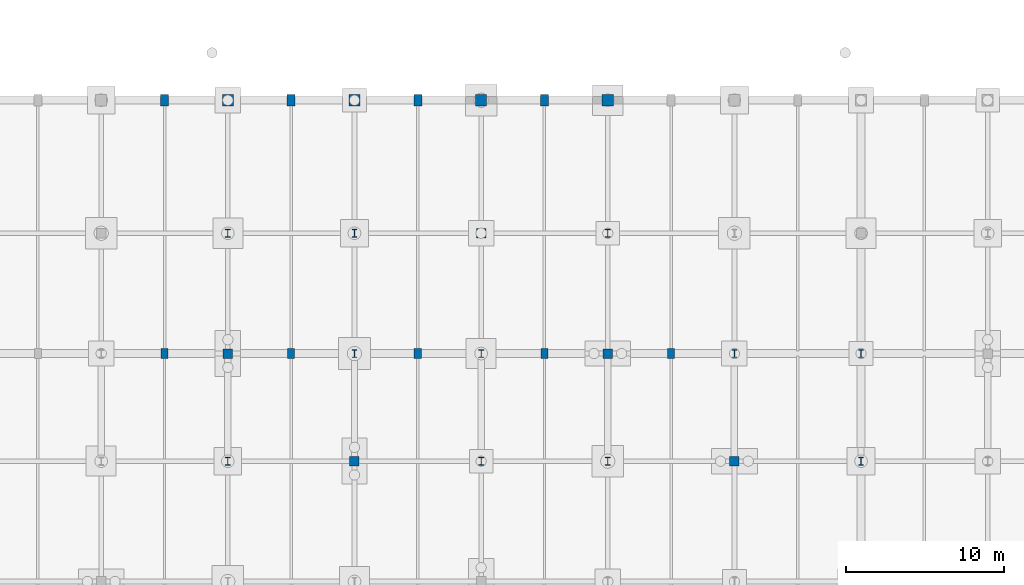
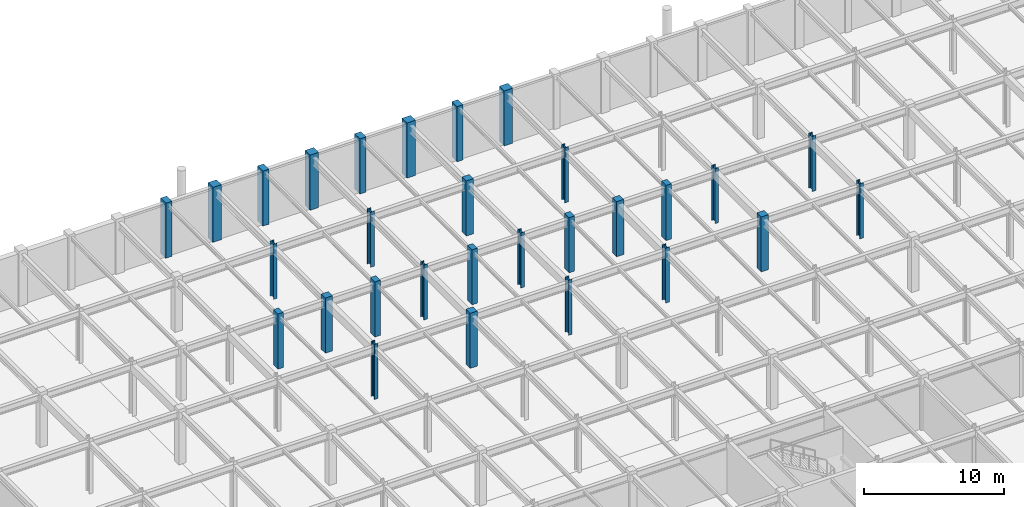
# One storey, part 23 of 53: 29 columns.
"""IFC4 building model written with IfcOpenShell, lengths in metres."""

from ifc_helpers import new_model, si_unit, direction, frame, origin, origin_2d, place, context, subcontext, project, spatial, rectangle, i_section, extrude, material, material_profile, profile_set, type_object, element, save


model = new_model("IFC4")

# Units and contexts
model_context = context("Model", 3, precision=1e-05, world=origin(), true_north=direction((0.0, 1.0)))
body_context = subcontext(model_context, "Body", "Model", "MODEL_VIEW")
ifc_project = project(units=[si_unit("LENGTHUNIT", "METRE"), si_unit("AREAUNIT", "SQUARE_METRE"), si_unit("VOLUMEUNIT", "CUBIC_METRE"), si_unit("PLANEANGLEUNIT", "RADIAN"), si_unit("MASSUNIT", "GRAM", prefix="KILO")], contexts=[model_context])

# Site, building, storey
site_placement = place(None, origin())
site = spatial("IfcSite", under=ifc_project, at=site_placement, CompositionType="ELEMENT")
building_placement = place(site_placement, origin())
building = spatial("IfcBuilding", under=site, at=building_placement, Name="Shalkamar Park Central Library", CompositionType="ELEMENT")
storey_placement = place(building_placement, frame((0.0, 0.0, -4.800048828125)))
storey = spatial("IfcBuildingStorey", under=building, at=storey_placement, Name="B1", CompositionType="ELEMENT", Elevation=-4.800048828125)

# Columns
ifc_material_1 = material(Name="Concrete C40/50", Category="concrete")
ifc_material_profile_1 = material_profile(ifc_material_1, rectangle(XDim=0.60009765625, YDim=0.60009765625, at=origin_2d()), Name="RC 600x600")
ifc_profile_set_1 = profile_set([ifc_material_profile_1], Name="Concrete C40/50")
column_type_1 = type_object("IfcColumnType", Name="Column Concrete RC600", PredefinedType="COLUMN", material=ifc_profile_set_1)
for number, where, z_axis, x_axis, name in (
    (1, (181.0, 338.0, 0.0), (0.0, 0.0, 1.0), (1.0, 0.0, 0.0), "Column 09/P (B1)"),
    (2, (189.0, 331.199951171875, 0.0), (0.0, 0.0, 1.0), (1.0, 0.0, 0.0), "Column 10/N (B1)"),
    (3, (197.0, 345.60009765625, 0.0), (0.0, 0.0, 1.0), (1.0, 0.0, 0.0), "Column 11/Q (B1)"),
    (4, (205.0, 338.0, 0.0), (0.0, 0.0, 1.0), (1.0, 0.0, 0.0), "Column 12/P (B1)"),
    (5, (213.0, 331.199951171875, 0.0), (0.0, 0.0, 1.0), (1.0, 0.0, 0.0), "Column 13/N (B1)"),
):
    element("IfcColumn", number, at=place(storey_placement, frame(where, z_axis=z_axis, x_axis=x_axis)), inside=storey, type_object=column_type_1, Name=name, PredefinedType="COLUMN", context=body_context, shape_type="SweptSolid", body=[
        extrude(rectangle(XDim=0.60009765625, YDim=0.60009765625, at=origin_2d()), origin(), (0.0, 0.0, 1.0), 4.800048828125),
    ])
ifc_material_profile_2 = material_profile(ifc_material_1, rectangle(XDim=0.699951171875, YDim=0.699951171875, at=origin_2d()), Name="RC 700x700")
ifc_profile_set_2 = profile_set([ifc_material_profile_2], Name="Concrete C40/50")
column_type_2 = type_object("IfcColumnType", Name="Column Concrete RC700", PredefinedType="COLUMN", material=ifc_profile_set_2)
for number, where, z_axis, x_axis, name in (
    (6, (181.0, 354.0, 0.0), (0.0, 0.0, 1.0), (1.0, 0.0, 0.0), "Column 09/R (B1)"),
    (7, (189.0, 354.0, 0.0), (0.0, 0.0, 1.0), (1.0, 0.0, 0.0), "Column 10/R (B1)"),
    (8, (197.0, 354.0, 0.0), (0.0, 0.0, 1.0), (1.0, 0.0, 0.0), "Column 11/R (B1)"),
    (9, (205.0, 354.0, 0.0), (0.0, 0.0, 1.0), (1.0, 0.0, 0.0), "Column 12/R (B1)"),
):
    element("IfcColumn", number, at=place(storey_placement, frame(where, z_axis=z_axis, x_axis=x_axis)), inside=storey, type_object=column_type_2, Name=name, PredefinedType="COLUMN", context=body_context, shape_type="SweptSolid", body=[
        extrude(rectangle(XDim=0.699951171875, YDim=0.699951171875, at=origin_2d()), origin(), (0.0, 0.0, 1.0), 4.800048828125),
    ])
ifc_material_2 = material(Name="Steel S355", Category="steel")
ifc_material_profile_3 = material_profile(ifc_material_2, i_section(OverallWidth=0.300048828125, OverallDepth=0.5, WebThickness=0.014404296875, FlangeThickness=0.028076171875, FilletRadius=0.027099609375, at=origin_2d()), Name="HEB 500")
ifc_profile_set_3 = profile_set([ifc_material_profile_3], Name="Steel S355")
column_type_3 = type_object("IfcColumnType", Name="Column Steel HEB500", PredefinedType="COLUMN", material=ifc_profile_set_3)
for number, where, z_axis, x_axis, name in (
    (10, (181.0, 331.199951171875, 0.0), (0.0, 0.0, 1.0), (1.0, 0.0, 0.0), "Column 09/N (B1)"),
    (11, (181.0, 345.60009765625, 0.0), (0.0, 0.0, 1.0), (1.0, 0.0, 0.0), "Column 09/Q (B1)"),
    (12, (189.0, 338.0, 0.0), (0.0, 0.0, 1.0), (1.0, 0.0, 0.0), "Column 10/P (B1)"),
    (13, (189.0, 345.60009765625, 0.0), (0.0, 0.0, 1.0), (1.0, 0.0, 0.0), "Column 10/Q (B1)"),
    (14, (197.0, 331.199951171875, 0.0), (0.0, 0.0, 1.0), (1.0, 0.0, 0.0), "Column 11/N (B1)"),
    (15, (197.0, 338.0, 0.0), (0.0, 0.0, 1.0), (1.0, 0.0, 0.0), "Column 11/P (B1)"),
    (16, (205.0, 331.199951171875, 0.0), (0.0, 0.0, 1.0), (1.0, 0.0, 0.0), "Column 12/N (B1)"),
    (17, (205.0, 345.60009765625, 0.0), (0.0, 0.0, 1.0), (1.0, 0.0, 0.0), "Column 12/Q (B1)"),
    (18, (213.0, 338.0, 0.0), (0.0, 0.0, 1.0), (1.0, 0.0, 0.0), "Column 13/P (B1)"),
    (19, (221.0, 331.199951171875, 0.0), (0.0, 0.0, 1.0), (1.0, 0.0, 0.0), "Column 14/N (B1)"),
    (20, (221.0, 338.0, 0.0), (0.0, 0.0, 1.0), (1.0, 0.0, 0.0), "Column 14/P (B1)"),
):
    element("IfcColumn", number, at=place(storey_placement, frame(where, z_axis=z_axis, x_axis=x_axis)), inside=storey, type_object=column_type_3, Name=name, PredefinedType="COLUMN", context=body_context, shape_type="SweptSolid", body=[
        extrude(i_section(OverallWidth=0.300048828125, OverallDepth=0.5, WebThickness=0.014404296875, FlangeThickness=0.028076171875, FilletRadius=0.027099609375, at=origin_2d()), origin(), (0.0, 0.0, 1.0), 4.800048828125),
    ])
ifc_material_profile_4 = material_profile(ifc_material_1, rectangle(XDim=0.449951171875, YDim=0.64990234375, at=origin_2d()), Name="RC 450x650")
ifc_profile_set_4 = profile_set([ifc_material_profile_4], Name="Concrete C40/50")
column_type_4 = type_object("IfcColumnType", Name="Engaged Pilaster RC450x650", PredefinedType="PILASTER", material=ifc_profile_set_4)
for number, where, z_axis, x_axis, name in (
    (21, (177.0, 338.0, 0.0), (0.0, 0.0, 1.0), (1.0, 0.0, 0.0), "Terrace Facade Pilaster P-07 (B1)"),
    (22, (185.0, 338.0, 0.0), (0.0, 0.0, 1.0), (1.0, 0.0, 0.0), "Terrace Facade Pilaster P-08 (B1)"),
    (23, (193.0, 338.0, 0.0), (0.0, 0.0, 1.0), (1.0, 0.0, 0.0), "Terrace Facade Pilaster P-09 (B1)"),
    (24, (201.0, 338.0, 0.0), (0.0, 0.0, 1.0), (1.0, 0.0, 0.0), "Terrace Facade Pilaster P-10 (B1)"),
    (25, (209.0, 338.0, 0.0), (0.0, 0.0, 1.0), (1.0, 0.0, 0.0), "Terrace Facade Pilaster P-11 (B1)"),
):
    element("IfcColumn", number, at=place(storey_placement, frame(where, z_axis=z_axis, x_axis=x_axis)), inside=storey, type_object=column_type_4, Name=name, PredefinedType="PILASTER", context=body_context, shape_type="SweptSolid", body=[
        extrude(rectangle(XDim=0.449951171875, YDim=0.64990234375, at=origin_2d()), origin(), (0.0, 0.0, 1.0), 4.800048828125),
    ])
ifc_material_profile_5 = material_profile(ifc_material_1, rectangle(XDim=0.5, YDim=0.75, at=origin_2d()), Name="RC 500x750")
ifc_profile_set_5 = profile_set([ifc_material_profile_5], Name="Concrete C40/50")
column_type_5 = type_object("IfcColumnType", Name="Engaged Pilaster RC500x750", PredefinedType="PILASTER", material=ifc_profile_set_5)
for number, where, z_axis, x_axis, name in (
    (26, (177.0, 354.0, 0.0), (0.0, 0.0, 1.0), (1.0, 0.0, 0.0), "Park Proscenium Pilaster R-07 (B1)"),
    (27, (185.0, 354.0, 0.0), (0.0, 0.0, 1.0), (1.0, 0.0, 0.0), "Park Proscenium Pilaster R-08 (B1)"),
    (28, (193.0, 354.0, 0.0), (0.0, 0.0, 1.0), (1.0, 0.0, 0.0), "Park Proscenium Pilaster R-09 (B1)"),
    (29, (201.0, 354.0, 0.0), (0.0, 0.0, 1.0), (1.0, 0.0, 0.0), "Park Proscenium Pilaster R-10 (B1)"),
):
    element("IfcColumn", number, at=place(storey_placement, frame(where, z_axis=z_axis, x_axis=x_axis)), inside=storey, type_object=column_type_5, Name=name, PredefinedType="PILASTER", context=body_context, shape_type="SweptSolid", body=[
        extrude(rectangle(XDim=0.5, YDim=0.75, at=origin_2d()), origin(), (0.0, 0.0, 1.0), 4.800048828125),
    ])

save(model, "model.ifc")
